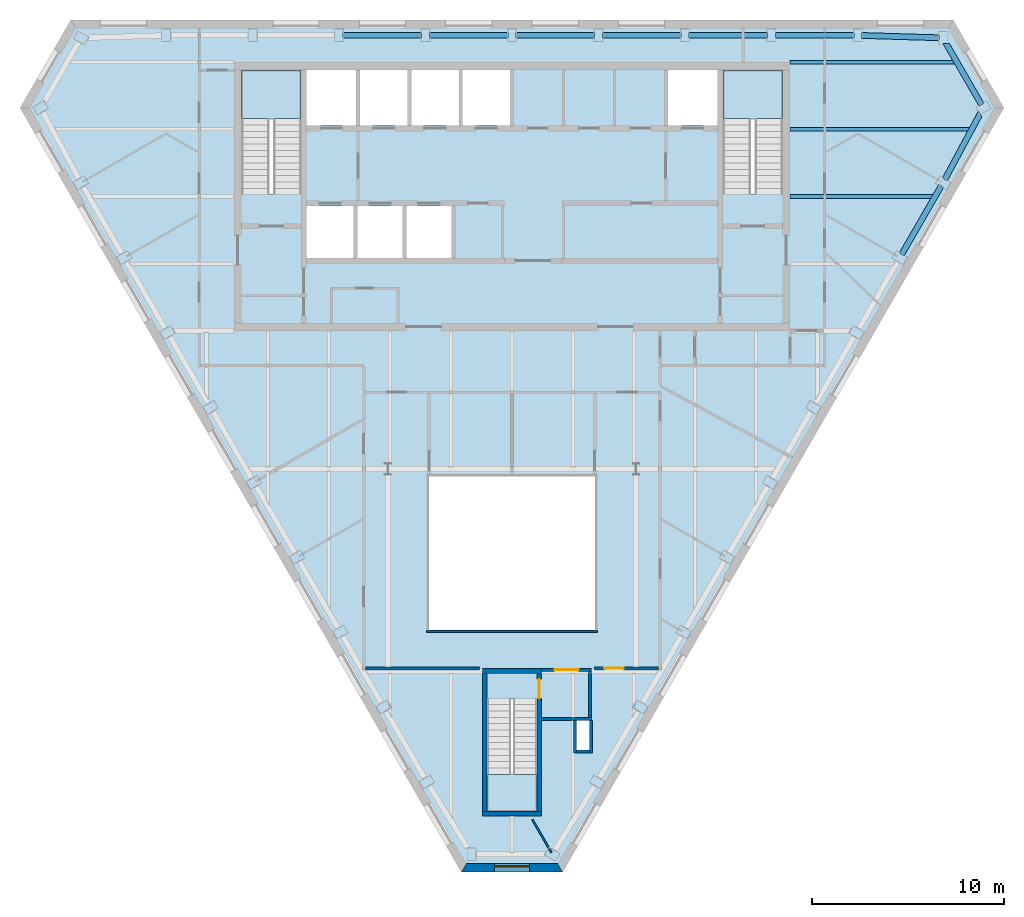
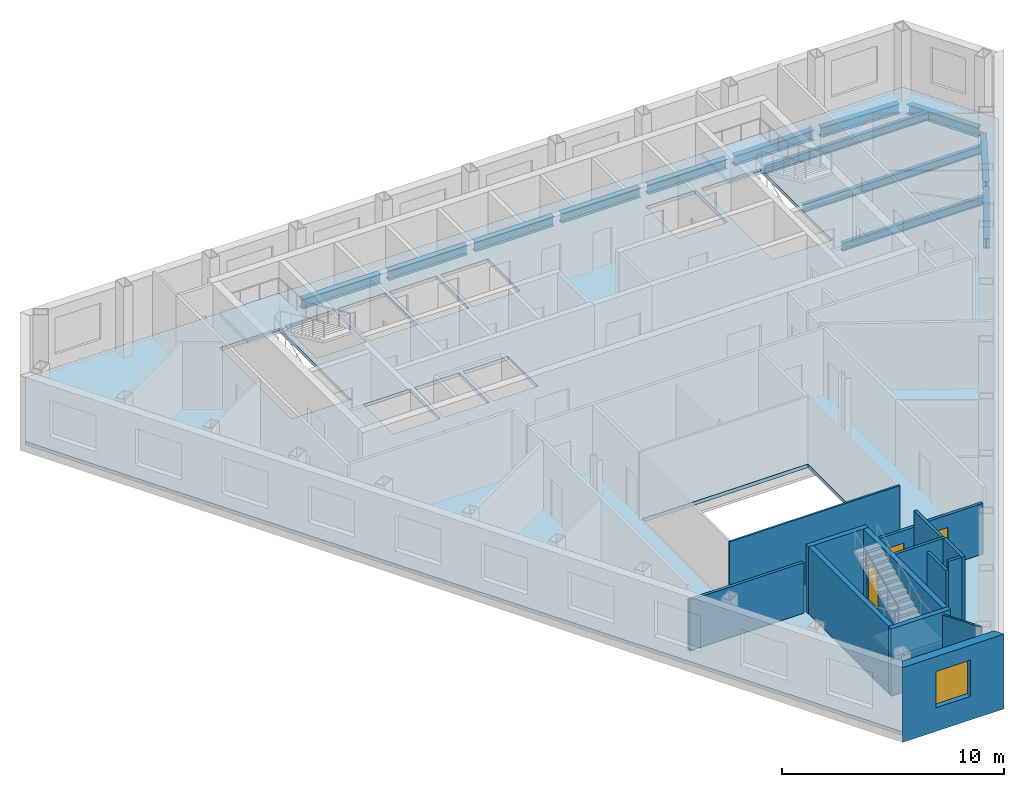
# One storey, part 3 of 10: 15 walls, 13 beams, 4 slabs, 3 doors, 1 window, 4 openings, 3 elements without a shape of their own.
"""IFC4 building model written with IfcOpenShell, lengths in metres."""

from ifc_helpers import new_model, si_unit, direction, frame, frame_2d, origin, origin_2d, place, context, subcontext, project, spatial, polyline, rectangle, i_section, outline, extrude, clip, halfspace, material, layer, layer_set, material_profile, profile_set, type_object, element, fill, aggregate, save


model = new_model("IFC4")

# Units and contexts
model_context = context("Model", 3, precision=1e-05, world=origin(), true_north=direction((0.0, 1.0)))
body_context = subcontext(model_context, "Body", "Model", "MODEL_VIEW")
ifc_project = project(units=[si_unit("LENGTHUNIT", "METRE"), si_unit("AREAUNIT", "SQUARE_METRE"), si_unit("VOLUMEUNIT", "CUBIC_METRE"), si_unit("PLANEANGLEUNIT", "RADIAN"), si_unit("MASSUNIT", "GRAM", prefix="KILO")], contexts=[model_context])

# Site, building, storey
site_placement = place(None, origin())
site = spatial("IfcSite", under=ifc_project, at=site_placement, CompositionType="ELEMENT")
building_placement = place(site_placement, origin())
building = spatial("IfcBuilding", under=site, at=building_placement, Name="Njiva Tower", CompositionType="ELEMENT")
storey_placement = place(building_placement, frame((0.0, 0.0, 288.3)))
storey = spatial("IfcBuildingStorey", under=building, at=storey_placement, Name="L66", CompositionType="ELEMENT", Elevation=288.3)

# Beams
ifc_material_1 = material(Name="Steel S355 J2", Category="steel")
ifc_material_profile_1 = material_profile(ifc_material_1, i_section(OverallWidth=0.19, OverallDepth=0.45, WebThickness=0.0094, FlangeThickness=0.0146, at=origin_2d()), Name="IPE 450")
ifc_profile_set_1 = profile_set([ifc_material_profile_1], Name="Steel S355 J2")
beam_type_1 = type_object("IfcBeamType", Name="B37 Floor beam to the core IPE 450", PredefinedType="BEAM", material=ifc_profile_set_1)
beam_1_placement = place(storey_placement, frame((14.5, 11.0, -0.425), z_axis=(1.0, 0.0, 0.0), x_axis=(0.0, 1.0, 0.0)))
element("IfcBeam", 1, at=beam_1_placement, inside=storey, type_object=beam_type_1, Name="Floor beam to the core S21-B008", PredefinedType="BEAM", context=body_context, shape_type="Clipping", body=[
    clip(extrude(i_section(OverallWidth=0.19, OverallDepth=0.45, WebThickness=0.0094, FlangeThickness=0.0146, at=origin_2d()), origin(), (0.0, 0.0, 1.0), 7.514), halfspace(frame((-0.025, 0.0, 7.4247), z_axis=(-0.499998009787, 0.0, 0.866026552831), x_axis=(0.0, 1.0, 0.0)), False)),
])
beam_2_placement = place(storey_placement, frame((14.5, 14.5, -0.425), z_axis=(1.0, 0.0, 0.0), x_axis=(0.0, 1.0, 0.0)))
element("IfcBeam", 2, at=beam_2_placement, inside=storey, type_object=beam_type_1, Name="Floor beam to the core S21-B009", PredefinedType="BEAM", context=body_context, shape_type="Clipping", body=[
    clip(extrude(i_section(OverallWidth=0.19, OverallDepth=0.45, WebThickness=0.0094, FlangeThickness=0.0146, at=origin_2d()), origin(), (0.0, 0.0, 1.0), 9.423), halfspace(frame((-0.0237, 0.0, 9.3394), z_axis=(-0.473769423091, 0.0, 0.880648927634), x_axis=(0.0, 1.0, 0.0)), False)),
])
beam_3_placement = place(storey_placement, frame((14.5, 18.0, -0.425), z_axis=(1.0, 0.0, 0.0), x_axis=(0.0, 1.0, 0.0)))
element("IfcBeam", 3, at=beam_3_placement, inside=storey, type_object=beam_type_1, Name="Floor beam to the core S21-B010", PredefinedType="BEAM", context=body_context, shape_type="Clipping", body=[
    clip(extrude(i_section(OverallWidth=0.19, OverallDepth=0.45, WebThickness=0.0094, FlangeThickness=0.0146, at=origin_2d()), origin(), (0.0, 0.0, 1.0), 8.652), halfspace(frame((0.025, 0.0, 8.5628), z_axis=(0.499998009787, 0.0, 0.866026552831), x_axis=(0.0, 1.0, 0.0)), False)),
])
ifc_material_profile_2 = material_profile(ifc_material_1, i_section(OverallWidth=0.3, OverallDepth=0.54, WebThickness=0.0125, FlangeThickness=0.024, at=origin_2d()), Name="HEA 550")
ifc_profile_set_2 = profile_set([ifc_material_profile_2], Name="Steel S355 J2")
beam_type_2 = type_object("IfcBeamType", Name="B39 Short-span spandrel beam HEA 550", PredefinedType="SPANDREL", material=ifc_profile_set_2)
beam_4_placement = place(storey_placement, frame((22.257, 19.273, -0.47), z_axis=(-0.999547991975, 0.030063461852, 0.0), x_axis=(-0.030063461852, -0.999547991975, 0.0)))
element("IfcBeam", 4, at=beam_4_placement, inside=storey, type_object=beam_type_2, Name="Short-span spandrel beam S21-B116", PredefinedType="SPANDREL", context=body_context, shape_type="SweptSolid", body=[
    extrude(i_section(OverallWidth=0.3, OverallDepth=0.54, WebThickness=0.0125, FlangeThickness=0.024, at=origin_2d()), origin(), (0.0, 0.0, 1.0), 4.0248),
])
beam_5_placement = place(storey_placement, frame((17.83, 19.4, -0.47), z_axis=(-1.0, 0.0, 0.0), x_axis=(0.0, -1.0, 0.0)))
element("IfcBeam", 5, at=beam_5_placement, inside=storey, type_object=beam_type_2, Name="Short-span spandrel beam S21-B111", PredefinedType="SPANDREL", context=body_context, shape_type="SweptSolid", body=[
    extrude(i_section(OverallWidth=0.3, OverallDepth=0.54, WebThickness=0.0125, FlangeThickness=0.024, at=origin_2d()), origin(), (0.0, 0.0, 1.0), 4.107),
])
beam_6_placement = place(storey_placement, frame((13.323, 19.4, -0.47), z_axis=(-1.0, 0.0, 0.0), x_axis=(0.0, -1.0, 0.0)))
element("IfcBeam", 6, at=beam_6_placement, inside=storey, type_object=beam_type_2, Name="Short-span spandrel beam S21-B106", PredefinedType="SPANDREL", context=body_context, shape_type="SweptSolid", body=[
    extrude(i_section(OverallWidth=0.3, OverallDepth=0.54, WebThickness=0.0125, FlangeThickness=0.024, at=origin_2d()), origin(), (0.0, 0.0, 1.0), 4.108),
])
beam_7_placement = place(storey_placement, frame((8.815, 19.4, -0.47), z_axis=(-1.0, 0.0, 0.0), x_axis=(0.0, -1.0, 0.0)))
element("IfcBeam", 7, at=beam_7_placement, inside=storey, type_object=beam_type_2, Name="Short-span spandrel beam S21-B101", PredefinedType="SPANDREL", context=body_context, shape_type="SweptSolid", body=[
    extrude(i_section(OverallWidth=0.3, OverallDepth=0.54, WebThickness=0.0125, FlangeThickness=0.024, at=origin_2d()), origin(), (0.0, 0.0, 1.0), 4.107),
])
for number, where, z_axis, x_axis, name in (
    (8, (4.308, 19.4, -0.47), (-1.0, 0.0, 0.0), (0.0, -1.0, 0.0), "Short-span spandrel beam S21-B096"),
    (9, (-0.2, 19.4, -0.47), (-1.0, 0.0, 0.0), (0.0, -1.0, 0.0), "Short-span spandrel beam S21-B092"),
):
    element("IfcBeam", number, at=place(storey_placement, frame(where, z_axis=z_axis, x_axis=x_axis)), inside=storey, type_object=beam_type_2, Name=name, PredefinedType="SPANDREL", context=body_context, shape_type="SweptSolid", body=[
        extrude(i_section(OverallWidth=0.3, OverallDepth=0.54, WebThickness=0.0125, FlangeThickness=0.024, at=origin_2d()), origin(), (0.0, 0.0, 1.0), 4.108),
    ])
beam_8_placement = place(storey_placement, frame((-4.708, 19.4, -0.47), z_axis=(-1.0, 0.0, 0.0), x_axis=(0.0, -1.0, 0.0)))
element("IfcBeam", 10, at=beam_8_placement, inside=storey, type_object=beam_type_2, Name="Short-span spandrel beam S21-B087", PredefinedType="SPANDREL", context=body_context, shape_type="SweptSolid", body=[
    extrude(i_section(OverallWidth=0.3, OverallDepth=0.54, WebThickness=0.0125, FlangeThickness=0.024, at=origin_2d()), origin(), (0.0, 0.0, 1.0), 4.107),
])
beam_9_placement = place(storey_placement, frame((20.314, 7.984, -0.47), z_axis=(0.499778651271, 0.866153161822, 0.0), x_axis=(-0.866153161822, 0.499778651271, 0.0)))
element("IfcBeam", 11, at=beam_9_placement, inside=storey, type_object=beam_type_2, Name="Short-span spandrel beam S21-B118", PredefinedType="SPANDREL", context=body_context, shape_type="SweptSolid", body=[
    extrude(i_section(OverallWidth=0.3, OverallDepth=0.54, WebThickness=0.0125, FlangeThickness=0.024, at=origin_2d()), origin(), (0.0, 0.0, 1.0), 4.1078),
])
beam_10_placement = place(storey_placement, frame((22.564, 11.894, -0.47), z_axis=(0.473730701413, 0.880669757934, 0.0), x_axis=(-0.880669757934, 0.473730701413, 0.0)))
element("IfcBeam", 12, at=beam_10_placement, inside=storey, type_object=beam_type_2, Name="Short-span spandrel beam S21-B120", PredefinedType="SPANDREL", context=body_context, shape_type="Clipping", body=[
    clip(extrude(i_section(OverallWidth=0.3, OverallDepth=0.54, WebThickness=0.0125, FlangeThickness=0.024, at=origin_2d()), origin(), (0.0, 0.0, 1.0), 3.9907), halfspace(frame((-0.0262, 0.0, 3.8611), z_axis=(-0.525818986765, 0.0, 0.850596492561), x_axis=(0.0, 1.0, 0.0)), False)),
])
beam_11_placement = place(storey_placement, frame((24.468, 15.792, -0.47), z_axis=(-0.500186718796, 0.865917574796, 0.0), x_axis=(-0.865917574796, -0.500186718796, 0.0)))
element("IfcBeam", 13, at=beam_11_placement, inside=storey, type_object=beam_type_2, Name="Short-span spandrel beam S21-B121", PredefinedType="SPANDREL", context=body_context, shape_type="Clipping", body=[
    clip(extrude(i_section(OverallWidth=0.3, OverallDepth=0.54, WebThickness=0.0125, FlangeThickness=0.024, at=origin_2d()), origin(), (0.0, 0.0, 1.0), 3.7736), halfspace(frame((-0.0254, 0.0, 3.652), z_axis=(-0.500186718796, 0.0, 0.865917574796), x_axis=(0.0, 1.0, 0.0)), False)),
])

# Stair, slab
ifc_material_2 = material(Name="Concrete C40/50", Category="concrete")
stair_type_1 = type_object("IfcStairType", Name="ST3 Exit stair 1450", PredefinedType="HALF_TURN_STAIR", material=ifc_material_2)
stair_1_placement = place(storey_placement, origin())
stair_1 = element("IfcStair", 14, at=stair_1_placement, inside=storey, type_object=stair_type_1, Name="Stair A", PredefinedType="HALF_TURN_STAIR")
ifc_layer_1 = layer(ifc_material_2, 0.2)
ifc_layer_set_1 = layer_set([ifc_layer_1], Name="Concrete C40/50")
slab_type_1 = type_object("IfcSlabType", Name="FL9 Stair landing 200", PredefinedType="LANDING", material=ifc_layer_set_1)
slab_1_placement = place(storey_placement, frame((0.0, 0.0, 1.75)))
slab_1 = element("IfcSlab", 15, at=slab_1_placement, type_object=slab_type_1, Name="ST-A landing 1", PredefinedType="LANDING", context=body_context, shape_type="SweptSolid", body=[
    extrude(outline(polyline([(-14.106, 15.06), (-10.994, 15.06), (-10.994, 17.6), (-14.106, 17.6), (-14.106, 15.06)])), origin(), (0.0, 0.0, 1.0), 0.2),
])
aggregate(stair_1, [slab_1])

stair_2_placement = place(storey_placement, origin())
stair_2 = element("IfcStair", 16, at=stair_2_placement, inside=storey, type_object=stair_type_1, Name="Stair B", PredefinedType="HALF_TURN_STAIR")
slab_2_placement = place(storey_placement, frame((0.0, 0.0, 1.75)))
slab_2 = element("IfcSlab", 17, at=slab_2_placement, type_object=slab_type_1, Name="ST-B landing 1", PredefinedType="LANDING", context=body_context, shape_type="SweptSolid", body=[
    extrude(outline(polyline([(10.994, 15.06), (14.106, 15.06), (14.106, 17.6), (10.994, 17.6), (10.994, 15.06)])), origin(), (0.0, 0.0, 1.0), 0.2),
])
aggregate(stair_2, [slab_2])

stair_type_2 = type_object("IfcStairType", Name="ST1 Exit stair 1250", PredefinedType="HALF_TURN_STAIR", material=ifc_material_2)
stair_3_placement = place(storey_placement, origin())
stair_3 = element("IfcStair", 18, at=stair_3_placement, inside=storey, type_object=stair_type_2, Name="Stair C", PredefinedType="HALF_TURN_STAIR")
slab_3_placement = place(storey_placement, frame((0.0, 0.0, 1.75)))
slab_3 = element("IfcSlab", 19, at=slab_3_placement, type_object=slab_type_1, Name="ST-C landing 1", PredefinedType="LANDING", context=body_context, shape_type="SweptSolid", body=[
    extrude(outline(polyline([(-1.306, -21.05), (1.306, -21.05), (1.306, -19.12), (-1.306, -19.12), (-1.306, -21.05)])), origin(), (0.0, 0.0, 1.0), 0.2),
])
aggregate(stair_3, [slab_3])

# Slab
ifc_material_3 = material(Name="Concrete C30/37", Category="concrete")
ifc_layer_2 = layer(ifc_material_3, 0.2)
ifc_layer_set_2 = layer_set([ifc_layer_2], Name="Concrete C30/37")
slab_type_2 = type_object("IfcSlabType", Name="SL16 Composite floor slab 200", PredefinedType="FLOOR", material=ifc_layer_set_2)
slab_4_placement = place(storey_placement, frame((0.0, 0.0, -0.2)))
element("IfcSlab", 20, at=slab_4_placement, inside=storey, type_object=slab_type_2, Name="Floor slab L66", PredefinedType="FLOOR", context=body_context, shape_type="SweptSolid", body=[
    extrude(outline(polyline([(25.3852, 15.6187), (2.5151, -23.9934), (-2.5151, -23.9934), (-25.3852, 15.6187), (-22.8701, 19.975), (22.8701, 19.975), (25.3852, 15.6187)]), holes=[polyline([(10.994, 11.13), (14.106, 11.13), (14.106, 17.6), (10.994, 17.6), (10.994, 11.13)]), polyline([(8.125, 14.7), (10.7, 14.7), (10.7, 17.6), (8.125, 17.6), (8.125, 14.7)]), polyline([(4.32, -11.6), (4.32, -3.6), (-4.32, -3.6), (-4.32, -11.6), (4.32, -11.6)]), polyline([(3.35, -17.85), (4.05, -17.85), (4.05, -16.3), (3.35, -16.3), (3.35, -17.85)]), polyline([(-1.306, -21.05), (1.306, -21.05), (1.306, -15.19), (-1.306, -15.19), (-1.306, -21.05)]), polyline([(-2.575, 14.7), (-0.1, 14.7), (-0.1, 17.6), (-2.575, 17.6), (-2.575, 14.7)]), polyline([(-2.775, 14.7), (-2.775, 17.6), (-5.25, 17.6), (-5.25, 14.7), (-2.775, 14.7)]), polyline([(-5.5, 7.8), (-3.15, 7.8), (-3.15, 10.5), (-5.5, 10.5), (-5.5, 7.8)]), polyline([(-7.925, 14.7), (-5.45, 14.7), (-5.45, 17.6), (-7.925, 17.6), (-7.925, 14.7)]), polyline([(-8.05, 7.8), (-5.7, 7.8), (-5.7, 10.5), (-8.05, 10.5), (-8.05, 7.8)]), polyline([(-10.7, 14.7), (-8.125, 14.7), (-8.125, 17.6), (-10.7, 17.6), (-10.7, 14.7)]), polyline([(-8.25, 7.8), (-8.25, 10.5), (-10.7, 10.5), (-10.7, 7.8), (-8.25, 7.8)]), polyline([(-10.994, 11.13), (-10.994, 17.6), (-14.106, 17.6), (-14.106, 11.13), (-10.994, 11.13)])]), origin(), (0.0, 0.0, 1.0), 0.2),
])

# Walls
ifc_material_4 = material(Name="Gypsum board on steel studs", Category="gypsum")
ifc_layer_3 = layer(ifc_material_4, 0.1)
ifc_layer_set_3 = layer_set([ifc_layer_3], Name="Gypsum board on steel studs")
wall_type_1 = type_object("IfcWallType", Name="WT20 Gypsum partition 100", PredefinedType="PARTITIONING", material=ifc_layer_set_3)
wall_1_placement = place(storey_placement, frame((1.061, -21.475, 0.0), z_axis=(0.0, 0.0, 1.0), x_axis=(0.499867417214, -0.866101936961, 0.0)))
element("IfcWall", 21, at=wall_1_placement, inside=storey, type_object=wall_type_1, Name="Partition S21-P017", PredefinedType="PARTITIONING", context=body_context, shape_type="SweptSolid", body=[
    extrude(rectangle(XDim=1.9905, YDim=0.1, at=frame_2d((0.9952, 0.0))), origin(), (0.0, 0.0, 1.0), 3.7),
])
ifc_layer_4 = layer(ifc_material_4, 0.15)
ifc_layer_set_4 = layer_set([ifc_layer_4], Name="Gypsum board on steel studs")
wall_type_2 = type_object("IfcWallType", Name="WT21 Compartment wall 150", PredefinedType="PARTITIONING", material=ifc_layer_set_4)
wall_2_placement = place(storey_placement, frame((-7.645, -13.6, 0.0), z_axis=(0.0, 0.0, 1.0), x_axis=(1.0, 0.0, 0.0)))
element("IfcWall", 22, at=wall_2_placement, inside=storey, type_object=wall_type_2, Name="Partition S21-P014", PredefinedType="PARTITIONING", context=body_context, shape_type="SweptSolid", body=[
    extrude(rectangle(XDim=5.945, YDim=0.15, at=frame_2d((2.9725, 0.0))), origin(), (0.0, 0.0, 1.0), 2.79),
])

# Wall, opening, door
wall_3_placement = place(storey_placement, frame((4.3, -13.6, 0.0), z_axis=(0.0, 0.0, 1.0), x_axis=(1.0, 0.0, 0.0)))
wall_3 = element("IfcWall", 23, at=wall_3_placement, inside=storey, type_object=wall_type_2, Name="Partition S21-P018", PredefinedType="PARTITIONING", context=body_context, shape_type="SweptSolid", body=[
    extrude(rectangle(XDim=3.345, YDim=0.15, at=frame_2d((1.6725, 0.0))), origin(), (0.0, 0.0, 1.0), 2.79),
])
opening_1_placement = place(wall_3_placement, frame((0.514, 0.0, 0.0)))
opening_1 = element("IfcOpeningElement", 24, at=opening_1_placement, cuts=wall_3, Name="Opening S21-D010", PredefinedType="OPENING", context=body_context, shape_type="SweptSolid", body=[
    extrude(rectangle(XDim=1.0, YDim=2.1, at=frame_2d((0.5, 1.05))), frame((0.0, 0.085, 0.0), z_axis=(0.0, -1.0, 0.0), x_axis=(1.0, 0.0, 0.0)), (0.0, 0.0, 1.0), 0.17),
])
ifc_material_5 = material(Name="Steel fire door set", Category="steel")
door_type_1 = type_object("IfcDoorType", Name="D37 Fire door 1000x2100", OperationType="SINGLE_SWING_LEFT", PredefinedType="DOOR", material=ifc_material_5)
door_1_placement = place(opening_1_placement, origin())
door_1 = element("IfcDoor", 25, at=door_1_placement, inside=storey, type_object=door_type_1, Name="Door S21-D010", OperationType="SINGLE_SWING_LEFT", OverallHeight=2.1, OverallWidth=1.0, PredefinedType="DOOR", context=body_context, shape_type="SweptSolid", body=[
    extrude(rectangle(XDim=1.0, YDim=2.1, at=frame_2d((0.5, 1.05))), frame((0.0, 0.025, 0.0), z_axis=(0.0, -1.0, 0.0), x_axis=(1.0, 0.0, 0.0)), (0.0, 0.0, 1.0), 0.05),
])
fill(opening_1, door_1)

# Walls
ifc_material_6 = material(Name="Blockwork", Category="masonry")
ifc_layer_5 = layer(ifc_material_6, 0.15)
ifc_layer_set_5 = layer_set([ifc_layer_5], Name="Blockwork")
wall_type_3 = type_object("IfcWallType", Name="WT4 Stair partition 150", PredefinedType="PARTITIONING", material=ifc_layer_set_5)
wall_4_placement = place(storey_placement, frame((1.55, -16.225, 0.0), z_axis=(0.0, 0.0, 1.0), x_axis=(1.0, 0.0, 0.0)))
element("IfcWall", 26, at=wall_4_placement, inside=storey, type_object=wall_type_3, Name="Stair C vestibule wall south", PredefinedType="PARTITIONING", context=body_context, shape_type="SweptSolid", body=[
    extrude(rectangle(XDim=2.6, YDim=0.15, at=frame_2d((1.3, 0.0))), origin(), (0.0, 0.0, 1.0), 3.7),
])
wall_5_placement = place(storey_placement, frame((4.075, -16.15, 0.0), z_axis=(0.0, 0.0, 1.0), x_axis=(0.0, 1.0, 0.0)))
element("IfcWall", 27, at=wall_5_placement, inside=storey, type_object=wall_type_3, Name="Stair C vestibule wall east", PredefinedType="PARTITIONING", context=body_context, shape_type="SweptSolid", body=[
    extrude(rectangle(XDim=2.4, YDim=0.15, at=frame_2d((1.2, 0.0))), origin(), (0.0, 0.0, 1.0), 3.7),
])

# Wall, opening, door
wall_6_placement = place(storey_placement, frame((1.55, -13.675, 0.0), z_axis=(0.0, 0.0, 1.0), x_axis=(1.0, 0.0, 0.0)))
wall_6 = element("IfcWall", 28, at=wall_6_placement, inside=storey, type_object=wall_type_3, Name="Stair C vestibule wall north", PredefinedType="PARTITIONING", context=body_context, shape_type="SweptSolid", body=[
    extrude(rectangle(XDim=2.6, YDim=0.15, at=frame_2d((1.3, 0.0))), origin(), (0.0, 0.0, 1.0), 2.79),
])
opening_2_placement = place(wall_6_placement, frame((0.675, 0.0, 0.0)))
opening_2 = element("IfcOpeningElement", 29, at=opening_2_placement, cuts=wall_6, Name="Opening S21-D929", PredefinedType="OPENING", context=body_context, shape_type="SweptSolid", body=[
    extrude(rectangle(XDim=1.25, YDim=2.1, at=frame_2d((0.625, 1.05))), frame((0.0, 0.085, 0.0), z_axis=(0.0, -1.0, 0.0), x_axis=(1.0, 0.0, 0.0)), (0.0, 0.0, 1.0), 0.17),
])
ifc_material_7 = material(Name="Glazed steel fire door", Category="steel")
door_type_2 = type_object("IfcDoorType", Name="D8 Vestibule corridor door 1250x2100 glazed", OperationType="SINGLE_SWING_LEFT", PredefinedType="DOOR", material=ifc_material_7)
door_2_placement = place(opening_2_placement, origin())
door_2 = element("IfcDoor", 30, at=door_2_placement, inside=storey, type_object=door_type_2, Name="Stair vestibule corridor door", OperationType="SINGLE_SWING_RIGHT", OverallHeight=2.1, OverallWidth=1.25, PredefinedType="DOOR", context=body_context, shape_type="SweptSolid", body=[
    extrude(rectangle(XDim=1.25, YDim=2.1, at=frame_2d((0.625, 1.05))), frame((0.0, 0.025, 0.0), z_axis=(0.0, -1.0, 0.0), x_axis=(1.0, 0.0, 0.0)), (0.0, 0.0, 1.0), 0.05),
])
fill(opening_2, door_2)

# Walls
wall_7_placement = place(storey_placement, frame((3.275, -18.0, 0.0), z_axis=(0.0, 0.0, 1.0), x_axis=(0.0, 1.0, 0.0)))
element("IfcWall", 31, at=wall_7_placement, inside=storey, type_object=wall_type_3, Name="Stair C pressurisation shaft wall", PredefinedType="PARTITIONING", context=body_context, shape_type="SweptSolid", body=[
    extrude(rectangle(XDim=1.7, YDim=0.15, at=frame_2d((0.85, 0.0))), origin(), (0.0, 0.0, 1.0), 3.25),
])
wall_8_placement = place(storey_placement, frame((3.35, -17.925, 0.0), z_axis=(0.0, 0.0, 1.0), x_axis=(1.0, 0.0, 0.0)))
element("IfcWall", 32, at=wall_8_placement, inside=storey, type_object=wall_type_3, Name="Stair C pressurisation shaft wall", PredefinedType="PARTITIONING", context=body_context, shape_type="SweptSolid", body=[
    extrude(rectangle(XDim=0.7, YDim=0.15, at=frame_2d((0.35, 0.0))), origin(), (0.0, 0.0, 1.0), 3.7),
])
wall_9_placement = place(storey_placement, frame((4.125, -18.0, 0.0), z_axis=(0.0, 0.0, 1.0), x_axis=(0.0, 1.0, 0.0)))
element("IfcWall", 33, at=wall_9_placement, inside=storey, type_object=wall_type_3, Name="Stair C pressurisation shaft wall", PredefinedType="PARTITIONING", context=body_context, shape_type="SweptSolid", body=[
    extrude(rectangle(XDim=1.7, YDim=0.15, at=frame_2d((0.85, 0.0))), origin(), (0.0, 0.0, 1.0), 3.7),
])
ifc_layer_6 = layer(ifc_material_2, 0.25)
ifc_layer_set_6 = layer_set([ifc_layer_6], Name="Concrete C40/50")
wall_type_4 = type_object("IfcWallType", Name="WT9 Stair enclosure wall 250", PredefinedType="SHEAR", material=ifc_layer_set_6)
wall_10_placement = place(storey_placement, frame((-1.425, -21.05, 0.0), z_axis=(0.0, 0.0, 1.0), x_axis=(0.0, 1.0, 0.0)))
element("IfcWall", 34, at=wall_10_placement, inside=storey, type_object=wall_type_4, Name="Stair C wall west", PredefinedType="SHEAR", context=body_context, shape_type="SweptSolid", body=[
    extrude(rectangle(XDim=7.2, YDim=0.25, at=frame_2d((3.6, 0.0))), origin(), (0.0, 0.0, 1.0), 3.7),
])

# Wall, opening, door
wall_11_placement = place(storey_placement, frame((1.425, -21.05, 0.0), z_axis=(0.0, 0.0, 1.0), x_axis=(0.0, 1.0, 0.0)))
wall_11 = element("IfcWall", 35, at=wall_11_placement, inside=storey, type_object=wall_type_4, Name="Stair C wall east", PredefinedType="SHEAR", context=body_context, shape_type="SweptSolid", body=[
    extrude(rectangle(XDim=7.2, YDim=0.25, at=frame_2d((3.6, 0.0))), origin(), (0.0, 0.0, 1.0), 3.7),
])
opening_3_placement = place(wall_11_placement, frame((5.89, 0.0, 0.0)))
opening_3 = element("IfcOpeningElement", 36, at=opening_3_placement, cuts=wall_11, Name="Opening S21-D928", PredefinedType="OPENING", context=body_context, shape_type="SweptSolid", body=[
    extrude(rectangle(XDim=1.0, YDim=2.1, at=frame_2d((0.5, 1.05))), frame((0.0, 0.135, 0.0), z_axis=(0.0, -1.0, 0.0), x_axis=(1.0, 0.0, 0.0)), (0.0, 0.0, 1.0), 0.27),
])
door_type_3 = type_object("IfcDoorType", Name="D9 Stair vestibule door 1000x2100 glazed", OperationType="SINGLE_SWING_LEFT", PredefinedType="DOOR", material=ifc_material_7)
door_3_placement = place(opening_3_placement, origin())
door_3 = element("IfcDoor", 37, at=door_3_placement, inside=storey, type_object=door_type_3, Name="Stair C door", OperationType="SINGLE_SWING_LEFT", OverallHeight=2.1, OverallWidth=1.0, PredefinedType="DOOR", context=body_context, shape_type="SweptSolid", body=[
    extrude(rectangle(XDim=1.0, YDim=2.1, at=frame_2d((0.5, 1.05))), frame((0.0, 0.025, 0.0), z_axis=(0.0, -1.0, 0.0), x_axis=(1.0, 0.0, 0.0)), (0.0, 0.0, 1.0), 0.05),
])
fill(opening_3, door_3)

# Walls
for number, where, z_axis, x_axis, name in (
    (38, (-1.55, -21.175, 0.0), (0.0, 0.0, 1.0), (1.0, 0.0, 0.0), "Stair C wall south"),
    (39, (-1.55, -13.725, 0.0), (0.0, 0.0, 1.0), (1.0, 0.0, 0.0), "Stair C wall north"),
):
    element("IfcWall", number, at=place(storey_placement, frame(where, z_axis=z_axis, x_axis=x_axis)), inside=storey, type_object=wall_type_4, Name=name, PredefinedType="SHEAR", context=body_context, shape_type="SweptSolid", body=[
        extrude(rectangle(XDim=3.1, YDim=0.25, at=frame_2d((1.55, 0.0))), origin(), (0.0, 0.0, 1.0), 3.7),
    ])

# Wall, opening, window
ifc_material_8 = material(Name="Brick masonry, buff", Category="masonry")
ifc_layer_7 = layer(ifc_material_8, 0.45)
ifc_layer_set_7 = layer_set([ifc_layer_7], Name="Brick masonry, buff")
wall_type_5 = type_object("IfcWallType", Name="WT94 Brick pier and spandrel wall 450, buff", PredefinedType="SOLIDWALL", material=ifc_layer_set_7)
wall_12_placement = place(storey_placement, frame((-2.5151, -23.9934, -0.4), z_axis=(0.0, 0.0, 1.0), x_axis=(1.0, 0.0, 0.0)))
wall_12 = element("IfcWall", 40, at=wall_12_placement, inside=storey, type_object=wall_type_5, Name="Facade wall S", PredefinedType="SOLIDWALL", context=body_context, shape_type="SweptSolid", body=[
    extrude(outline(polyline([(-0.1299, -0.225), (5.1601, -0.225), (4.9003, 0.225), (0.1299, 0.225), (-0.1299, -0.225)])), origin(), (0.0, 0.0, 1.0), 4.12),
])
opening_4_placement = place(wall_12_placement, frame((1.6151, 0.0, 1.3)))
opening_4 = element("IfcOpeningElement", 41, at=opening_4_placement, cuts=wall_12, Name="Opening S21-W19", PredefinedType="OPENING", context=body_context, shape_type="SweptSolid", body=[
    extrude(rectangle(XDim=1.8, YDim=2.0, at=frame_2d((0.9, 1.0))), frame((0.0, 0.235, 0.0), z_axis=(0.0, -1.0, 0.0), x_axis=(1.0, 0.0, 0.0)), (0.0, 0.0, 1.0), 0.47),
])
ifc_material_9 = material(Name="Clear glazing in aluminium frame", Category="aluminium")
window_type = type_object("IfcWindowType", Name="W94 Deep-set window 1800x2000", PartitioningType="SINGLE_PANEL", PredefinedType="WINDOW", material=ifc_material_9)
window_placement = place(opening_4_placement, origin())
window = element("IfcWindow", 42, at=window_placement, inside=storey, type_object=window_type, Name="Window", OverallHeight=2.0, OverallWidth=1.8, PartitioningType="SINGLE_PANEL", PredefinedType="WINDOW", context=body_context, shape_type="SweptSolid", body=[
    extrude(rectangle(XDim=1.8, YDim=2.0, at=frame_2d((0.9, 1.0))), frame((0.0, 0.105, 0.0), z_axis=(0.0, -1.0, 0.0), x_axis=(1.0, 0.0, 0.0)), (0.0, 0.0, 1.0), 0.06),
])
fill(opening_4, window)

# Wall
ifc_material_10 = material(Name="Fire-resisting glazing EI 90", Category="glass")
ifc_layer_8 = layer(ifc_material_10, 0.1)
ifc_layer_set_8 = layer_set([ifc_layer_8], Name="Fire-resisting glazing EI 90")
wall_type_6 = type_object("IfcWallType", Name="WT95 Fire-resisting glazed screen EI 90", PredefinedType="PARTITIONING", material=ifc_layer_set_8)
wall_13_placement = place(storey_placement, frame((-4.44, -11.67, 0.0), z_axis=(0.0, 0.0, 1.0), x_axis=(1.0, 0.0, 0.0)))
element("IfcWall", 43, at=wall_13_placement, inside=storey, type_object=wall_type_6, Name="Atrium fire screen south", PredefinedType="PARTITIONING", context=body_context, shape_type="SweptSolid", body=[
    extrude(rectangle(XDim=8.88, YDim=0.1, at=frame_2d((4.44, 0.0))), origin(), (0.0, 0.0, 1.0), 3.7),
])

save(model, "model.ifc")
